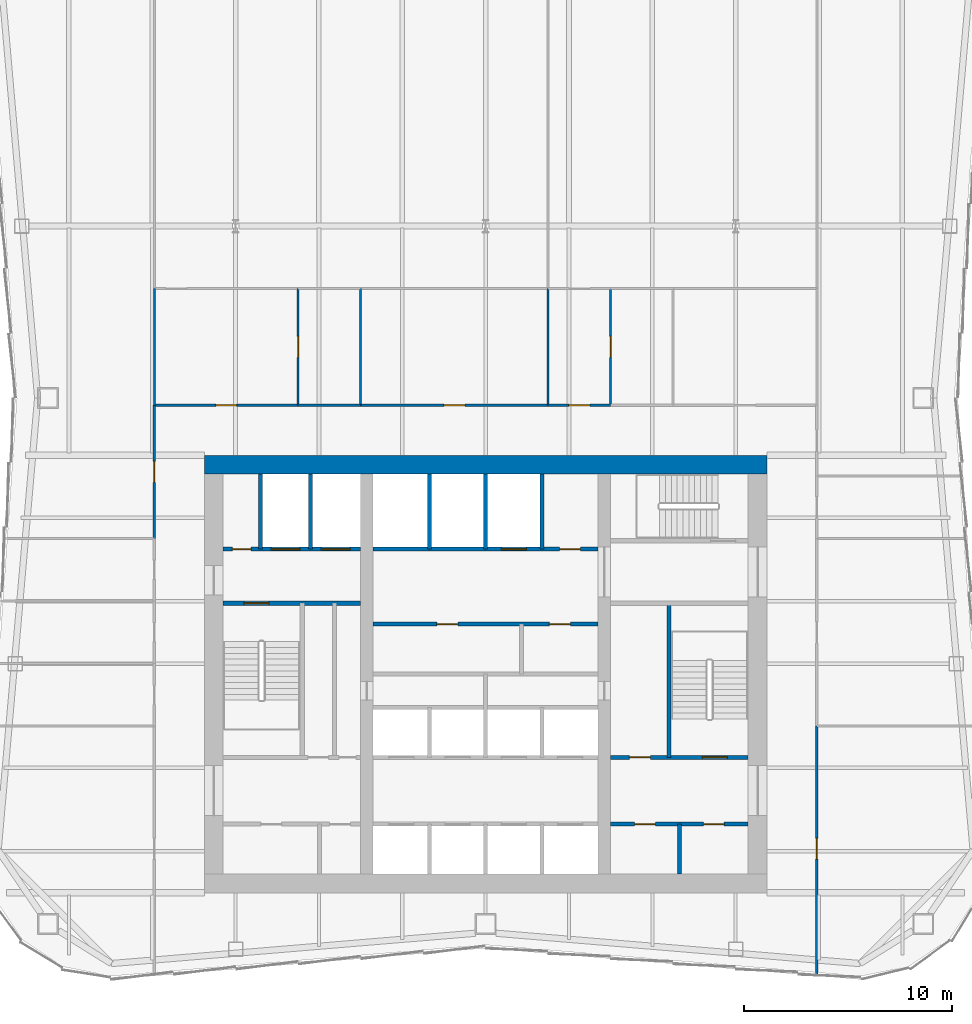
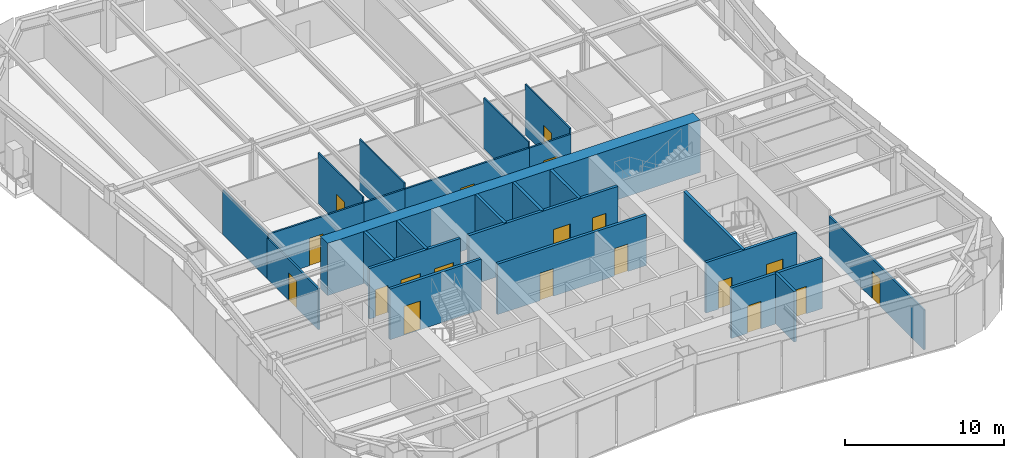
# One storey, part 6 of 10: 25 walls, 19 doors, 19 openings.
"""IFC4 building model written with IfcOpenShell, lengths in metres."""

from ifc_helpers import new_model, si_unit, direction, frame, frame_2d, origin, place, context, subcontext, project, spatial, rectangle, extrude, material, layer, layer_set, type_object, element, fill, save


model = new_model("IFC4")

# Units and contexts
model_context = context("Model", 3, precision=1e-05, world=origin(), true_north=direction((0.0, 1.0)))
body_context = subcontext(model_context, "Body", "Model", "MODEL_VIEW")
ifc_project = project(units=[si_unit("LENGTHUNIT", "METRE"), si_unit("AREAUNIT", "SQUARE_METRE"), si_unit("VOLUMEUNIT", "CUBIC_METRE"), si_unit("PLANEANGLEUNIT", "RADIAN"), si_unit("MASSUNIT", "GRAM", prefix="KILO")], contexts=[model_context])

# Site, building, storey
site_placement = place(None, origin())
site = spatial("IfcSite", under=ifc_project, at=site_placement, CompositionType="ELEMENT")
building_placement = place(site_placement, origin())
building = spatial("IfcBuilding", under=site, at=building_placement, Name="Verdant Reach Tower", CompositionType="ELEMENT")
storey_placement = place(building_placement, frame((0.0, 0.0, 190.0)))
storey = spatial("IfcBuildingStorey", under=building, at=storey_placement, Name="L43", CompositionType="ELEMENT", Elevation=190.0)

# Wall, openings, doors
ifc_material_1 = material(Name="Gypsum board on steel studs", Category="steel")
ifc_layer_1 = layer(ifc_material_1, 0.199951171875)
ifc_layer_set_1 = layer_set([ifc_layer_1], Name="CO-WALL-ROOM")
wall_type_1 = type_object("IfcWallType", Name="CO-WALL-ROOM", PredefinedType="PARTITIONING", material=ifc_layer_set_1)
wall_1_placement = place(storey_placement, frame((6.0, 20.800048828125, 0.0), z_axis=(0.0, 0.0, 1.0), x_axis=(1.0, 0.0, 0.0)))
wall_1 = element("IfcWall", 1, at=wall_1_placement, inside=storey, type_object=wall_type_1, Name="Core partition, L43", PredefinedType="PARTITIONING", context=body_context, shape_type="SweptSolid", body=[
    extrude(rectangle(XDim=6.60009765625, YDim=0.199951171875, at=frame_2d((3.300048828125, 0.0))), origin(), (0.0, 0.0, 1.0), 3.8701171875),
])
opening_1_placement = place(wall_1_placement, frame((1.14990234375, 0.0, 0.0)))
opening_1 = element("IfcOpeningElement", 2, at=opening_1_placement, cuts=wall_1, Name="Opening CD", PredefinedType="OPENING", context=body_context, shape_type="SweptSolid", body=[
    extrude(rectangle(XDim=1.0, YDim=2.10009765625, at=frame_2d((0.5, 1.050048828125))), frame((0.0, 0.10986328125, 0.0), z_axis=(0.0, -1.0, 0.0), x_axis=(1.0, 0.0, 0.0)), (0.0, 0.0, 1.0), 0.219970703125),
])
opening_2_placement = place(wall_1_placement, frame((4.449951171875, 0.0, 0.0)))
opening_2 = element("IfcOpeningElement", 3, at=opening_2_placement, cuts=wall_1, Name="Opening CD", PredefinedType="OPENING", context=body_context, shape_type="SweptSolid", body=[
    extrude(rectangle(XDim=1.0, YDim=2.10009765625, at=frame_2d((0.5, 1.050048828125))), frame((0.0, 0.10986328125, 0.0), z_axis=(0.0, -1.0, 0.0), x_axis=(1.0, 0.0, 0.0)), (0.0, 0.0, 1.0), 0.219970703125),
])
ifc_material_2 = material(Name="Timber", Category="wood")
door_type_1 = type_object("IfcDoorType", Name="CO-DOOR-ROOM", OperationType="NOTDEFINED", PredefinedType="DOOR", material=ifc_material_2)
door_1_placement = place(opening_1_placement, origin())
door_1 = element("IfcDoor", 4, at=door_1_placement, inside=storey, type_object=door_type_1, Name="Core room door, L43", OperationType="SINGLE_SWING_LEFT", OverallHeight=2.10009765625, OverallWidth=1.0, PredefinedType="DOOR", context=body_context, shape_type="SweptSolid", body=[
    extrude(rectangle(XDim=1.0, YDim=2.10009765625, at=frame_2d((0.5, 1.050048828125))), frame((0.0, 0.02490234375, 0.0), z_axis=(0.0, -1.0, 0.0), x_axis=(1.0, 0.0, 0.0)), (0.0, 0.0, 1.0), 0.050048828125),
])
fill(opening_1, door_1)
door_2_placement = place(opening_2_placement, origin())
door_2 = element("IfcDoor", 5, at=door_2_placement, inside=storey, type_object=door_type_1, Name="Core room door, L43", OperationType="SINGLE_SWING_LEFT", OverallHeight=2.10009765625, OverallWidth=1.0, PredefinedType="DOOR", context=body_context, shape_type="SweptSolid", body=[
    extrude(rectangle(XDim=1.0, YDim=2.10009765625, at=frame_2d((0.5, 1.050048828125))), frame((0.0, 0.02490234375, 0.0), z_axis=(0.0, -1.0, 0.0), x_axis=(1.0, 0.0, 0.0)), (0.0, 0.0, 1.0), 0.050048828125),
])
fill(opening_2, door_2)

wall_2_placement = place(storey_placement, frame((-5.39990234375, 30.39990234375, 0.0), z_axis=(0.0, 0.0, 1.0), x_axis=(1.0, 0.0, 0.0)))
wall_2 = element("IfcWall", 6, at=wall_2_placement, inside=storey, type_object=wall_type_1, Name="Core partition, L43", PredefinedType="PARTITIONING", context=body_context, shape_type="SweptSolid", body=[
    extrude(rectangle(XDim=10.7998046875, YDim=0.199951171875, at=frame_2d((5.39990234375, 0.0))), origin(), (0.0, 0.0, 1.0), 3.8701171875),
])
opening_3_placement = place(wall_2_placement, frame((3.06396484375, 0.0, 0.0)))
opening_3 = element("IfcOpeningElement", 7, at=opening_3_placement, cuts=wall_2, Name="Opening CD", PredefinedType="OPENING", context=body_context, shape_type="SweptSolid", body=[
    extrude(rectangle(XDim=1.0, YDim=2.10009765625, at=frame_2d((0.5, 1.050048828125))), frame((0.0, 0.10986328125, 0.0), z_axis=(0.0, -1.0, 0.0), x_axis=(1.0, 0.0, 0.0)), (0.0, 0.0, 1.0), 0.219970703125),
])
opening_4_placement = place(wall_2_placement, frame((8.464111328125, 0.0, 0.0)))
opening_4 = element("IfcOpeningElement", 8, at=opening_4_placement, cuts=wall_2, Name="Opening CD", PredefinedType="OPENING", context=body_context, shape_type="SweptSolid", body=[
    extrude(rectangle(XDim=1.0, YDim=2.10009765625, at=frame_2d((0.5, 1.050048828125))), frame((0.0, 0.10986328125, 0.0), z_axis=(0.0, -1.0, 0.0), x_axis=(1.0, 0.0, 0.0)), (0.0, 0.0, 1.0), 0.219970703125),
])
door_3_placement = place(opening_3_placement, origin())
door_3 = element("IfcDoor", 9, at=door_3_placement, inside=storey, type_object=door_type_1, Name="Core room door, L43", OperationType="SINGLE_SWING_RIGHT", OverallHeight=2.10009765625, OverallWidth=1.0, PredefinedType="DOOR", context=body_context, shape_type="SweptSolid", body=[
    extrude(rectangle(XDim=1.0, YDim=2.10009765625, at=frame_2d((0.5, 1.050048828125))), frame((0.0, 0.02490234375, 0.0), z_axis=(0.0, -1.0, 0.0), x_axis=(1.0, 0.0, 0.0)), (0.0, 0.0, 1.0), 0.050048828125),
])
fill(opening_3, door_3)
door_4_placement = place(opening_4_placement, origin())
door_4 = element("IfcDoor", 10, at=door_4_placement, inside=storey, type_object=door_type_1, Name="Core room door, L43", OperationType="SINGLE_SWING_LEFT", OverallHeight=2.10009765625, OverallWidth=1.0, PredefinedType="DOOR", context=body_context, shape_type="SweptSolid", body=[
    extrude(rectangle(XDim=1.0, YDim=2.10009765625, at=frame_2d((0.5, 1.050048828125))), frame((0.0, 0.02490234375, 0.0), z_axis=(0.0, -1.0, 0.0), x_axis=(1.0, 0.0, 0.0)), (0.0, 0.0, 1.0), 0.050048828125),
])
fill(opening_4, door_4)

# Wall
wall_3_placement = place(storey_placement, frame((9.300048828125, 18.39990234375, 0.0), z_axis=(0.0, 0.0, 1.0), x_axis=(0.0, 1.0, 0.0)))
element("IfcWall", 11, at=wall_3_placement, inside=storey, type_object=wall_type_1, Name="Core partition, L43", PredefinedType="PARTITIONING", context=body_context, shape_type="SweptSolid", body=[
    extrude(rectangle(XDim=2.400146484375, YDim=0.199951171875, at=frame_2d((1.2001953125, 0.0))), origin(), (0.0, 0.0, 1.0), 3.8701171875),
])

# Wall, openings, doors
ifc_material_3 = material(Name="Concrete C40/50", Category="concrete")
ifc_layer_2 = layer(ifc_material_3, 0.199951171875)
ifc_layer_set_2 = layer_set([ifc_layer_2], Name="CO-WALL-SHAFT")
wall_type_2 = type_object("IfcWallType", Name="CO-WALL-SHAFT", PredefinedType="PARTITIONING", material=ifc_layer_set_2)
wall_4_placement = place(storey_placement, frame((-12.60009765625, 34.0, 0.0), z_axis=(0.0, 0.0, 1.0), x_axis=(1.0, 0.0, 0.0)))
wall_4 = element("IfcWall", 12, at=wall_4_placement, inside=storey, type_object=wall_type_2, Name="Lift shaft wall, L43", PredefinedType="PARTITIONING", context=body_context, shape_type="SweptSolid", body=[
    extrude(rectangle(XDim=6.60009765625, YDim=0.199951171875, at=frame_2d((3.300048828125, 0.0))), origin(), (0.0, 0.0, 1.0), 3.8701171875),
])
opening_5_placement = place(wall_4_placement, frame((4.699951171875, 0.0, 0.0)))
opening_5 = element("IfcOpeningElement", 13, at=opening_5_placement, cuts=wall_4, Name="Opening LD-F1", PredefinedType="OPENING", context=body_context, shape_type="SweptSolid", body=[
    extrude(rectangle(XDim=1.39990234375, YDim=2.199951171875, at=frame_2d((0.699951171875, 1.10009765625))), frame((0.0, 0.10986328125, 0.0), z_axis=(0.0, -1.0, 0.0), x_axis=(1.0, 0.0, 0.0)), (0.0, 0.0, 1.0), 0.219970703125),
])
opening_6_placement = place(wall_4_placement, frame((2.300048828125, 0.0, 0.0)))
opening_6 = element("IfcOpeningElement", 14, at=opening_6_placement, cuts=wall_4, Name="Opening LD-F2", PredefinedType="OPENING", context=body_context, shape_type="SweptSolid", body=[
    extrude(rectangle(XDim=1.39990234375, YDim=2.199951171875, at=frame_2d((0.699951171875, 1.10009765625))), frame((0.0, 0.10986328125, 0.0), z_axis=(0.0, -1.0, 0.0), x_axis=(1.0, 0.0, 0.0)), (0.0, 0.0, 1.0), 0.219970703125),
])
opening_7_placement = place(wall_4_placement, frame((0.449951171875, 0.0, 0.0)))
opening_7 = element("IfcOpeningElement", 15, at=opening_7_placement, cuts=wall_4, Name="Opening RD", PredefinedType="OPENING", context=body_context, shape_type="SweptSolid", body=[
    extrude(rectangle(XDim=0.89990234375, YDim=2.10009765625, at=frame_2d((0.449951171875, 1.050048828125))), frame((0.0, 0.10986328125, 0.0), z_axis=(0.0, -1.0, 0.0), x_axis=(1.0, 0.0, 0.0)), (0.0, 0.0, 1.0), 0.219970703125),
])
ifc_material_4 = material(Name="Stainless steel", Category="steel")
door_type_2 = type_object("IfcDoorType", Name="CO-DOOR-LANDING-FF", OperationType="SLIDING_TO_LEFT", PredefinedType="DOOR", material=ifc_material_4)
door_5_placement = place(opening_5_placement, origin())
door_5 = element("IfcDoor", 16, at=door_5_placement, inside=storey, type_object=door_type_2, Name="Landing door F1, L43", OperationType="SLIDING_TO_LEFT", OverallHeight=2.199951171875, OverallWidth=1.39990234375, PredefinedType="DOOR", context=body_context, shape_type="SweptSolid", body=[
    extrude(rectangle(XDim=1.39990234375, YDim=2.199951171875, at=frame_2d((0.699951171875, 1.10009765625))), frame((0.0, 0.02490234375, 0.0), z_axis=(0.0, -1.0, 0.0), x_axis=(1.0, 0.0, 0.0)), (0.0, 0.0, 1.0), 0.050048828125),
])
fill(opening_5, door_5)
door_6_placement = place(opening_6_placement, origin())
door_6 = element("IfcDoor", 17, at=door_6_placement, inside=storey, type_object=door_type_2, Name="Landing door F2, L43", OperationType="SLIDING_TO_LEFT", OverallHeight=2.199951171875, OverallWidth=1.39990234375, PredefinedType="DOOR", context=body_context, shape_type="SweptSolid", body=[
    extrude(rectangle(XDim=1.39990234375, YDim=2.199951171875, at=frame_2d((0.699951171875, 1.10009765625))), frame((0.0, 0.02490234375, 0.0), z_axis=(0.0, -1.0, 0.0), x_axis=(1.0, 0.0, 0.0)), (0.0, 0.0, 1.0), 0.050048828125),
])
fill(opening_6, door_6)
ifc_material_5 = material(Name="Steel", Category="steel")
door_type_3 = type_object("IfcDoorType", Name="CO-DOOR-RISER", OperationType="NOTDEFINED", PredefinedType="DOOR", material=ifc_material_5)
door_7_placement = place(opening_7_placement, origin())
door_7 = element("IfcDoor", 18, at=door_7_placement, inside=storey, type_object=door_type_3, Name="Core room door, L43", OperationType="SINGLE_SWING_RIGHT", OverallHeight=2.10009765625, OverallWidth=0.89990234375, PredefinedType="DOOR", context=body_context, shape_type="SweptSolid", body=[
    extrude(rectangle(XDim=0.89990234375, YDim=2.10009765625, at=frame_2d((0.449951171875, 1.050048828125))), frame((0.0, 0.02490234375, 0.0), z_axis=(0.0, -1.0, 0.0), x_axis=(1.0, 0.0, 0.0)), (0.0, 0.0, 1.0), 0.050048828125),
])
fill(opening_7, door_7)

wall_5_placement = place(storey_placement, frame((-5.39990234375, 34.0, 0.0), z_axis=(0.0, 0.0, 1.0), x_axis=(1.0, 0.0, 0.0)))
wall_5 = element("IfcWall", 19, at=wall_5_placement, inside=storey, type_object=wall_type_2, Name="Lift shaft wall, L43", PredefinedType="PARTITIONING", context=body_context, shape_type="SweptSolid", body=[
    extrude(rectangle(XDim=10.7998046875, YDim=0.199951171875, at=frame_2d((5.39990234375, 0.0))), origin(), (0.0, 0.0, 1.0), 3.8701171875),
])
opening_8_placement = place(wall_5_placement, frame((6.14990234375, 0.0, 0.0)))
opening_8 = element("IfcOpeningElement", 20, at=opening_8_placement, cuts=wall_5, Name="Opening LD-SL1", PredefinedType="OPENING", context=body_context, shape_type="SweptSolid", body=[
    extrude(rectangle(XDim=1.199951171875, YDim=2.199951171875, at=frame_2d((0.60009765625, 1.10009765625))), frame((0.0, 0.10986328125, 0.0), z_axis=(0.0, -1.0, 0.0), x_axis=(1.0, 0.0, 0.0)), (0.0, 0.0, 1.0), 0.219970703125),
])
opening_9_placement = place(wall_5_placement, frame((8.949951171875, 0.0, 0.0)))
opening_9 = element("IfcOpeningElement", 21, at=opening_9_placement, cuts=wall_5, Name="Opening CD", PredefinedType="OPENING", context=body_context, shape_type="SweptSolid", body=[
    extrude(rectangle(XDim=1.0, YDim=2.10009765625, at=frame_2d((0.5, 1.050048828125))), frame((0.0, 0.10986328125, 0.0), z_axis=(0.0, -1.0, 0.0), x_axis=(1.0, 0.0, 0.0)), (0.0, 0.0, 1.0), 0.219970703125),
])
door_type_4 = type_object("IfcDoorType", Name="CO-DOOR-LANDING", OperationType="SLIDING_TO_LEFT", PredefinedType="DOOR", material=ifc_material_4)
door_8_placement = place(opening_8_placement, origin())
door_8 = element("IfcDoor", 22, at=door_8_placement, inside=storey, type_object=door_type_4, Name="Landing door SL1, L43", OperationType="SLIDING_TO_LEFT", OverallHeight=2.199951171875, OverallWidth=1.199951171875, PredefinedType="DOOR", context=body_context, shape_type="SweptSolid", body=[
    extrude(rectangle(XDim=1.199951171875, YDim=2.199951171875, at=frame_2d((0.60009765625, 1.10009765625))), frame((0.0, 0.02490234375, 0.0), z_axis=(0.0, -1.0, 0.0), x_axis=(1.0, 0.0, 0.0)), (0.0, 0.0, 1.0), 0.050048828125),
])
fill(opening_8, door_8)
door_9_placement = place(opening_9_placement, origin())
door_9 = element("IfcDoor", 23, at=door_9_placement, inside=storey, type_object=door_type_1, Name="Core room door, L43", OperationType="SINGLE_SWING_LEFT", OverallHeight=2.10009765625, OverallWidth=1.0, PredefinedType="DOOR", context=body_context, shape_type="SweptSolid", body=[
    extrude(rectangle(XDim=1.0, YDim=2.10009765625, at=frame_2d((0.5, 1.050048828125))), frame((0.0, 0.02490234375, 0.0), z_axis=(0.0, -1.0, 0.0), x_axis=(1.0, 0.0, 0.0)), (0.0, 0.0, 1.0), 0.050048828125),
])
fill(opening_9, door_9)

# Walls
for number, where, z_axis, x_axis, name in (
    (24, (-10.800048828125, 34.0, 0.0), (0.0, 0.0, 1.0), (0.0, 1.0, 0.0), "Lift shaft wall, L43"),
    (25, (-8.39990234375, 34.0, 0.0), (0.0, 0.0, 1.0), (0.0, 1.0, 0.0), "Lift shaft wall, L43"),
    (26, (-2.699951171875, 34.0, 0.0), (0.0, 0.0, 1.0), (0.0, 1.0, 0.0), "Lift shaft wall, L43"),
    (27, (0.0, 34.0, 0.0), (0.0, 0.0, 1.0), (0.0, 1.0, 0.0), "Lift shaft wall, L43"),
    (28, (2.699951171875, 34.0, 0.0), (0.0, 0.0, 1.0), (0.0, 1.0, 0.0), "Lift shaft wall, L43"),
):
    element("IfcWall", number, at=place(storey_placement, frame(where, z_axis=z_axis, x_axis=x_axis)), inside=storey, type_object=wall_type_2, Name=name, PredefinedType="PARTITIONING", context=body_context, shape_type="SweptSolid", body=[
        extrude(rectangle(XDim=3.60009765625, YDim=0.199951171875, at=frame_2d((1.800048828125, 0.0))), origin(), (0.0, 0.0, 1.0), 3.8701171875),
    ])

# Wall, openings, doors
ifc_layer_3 = layer(ifc_material_3, 0.199951171875)
ifc_layer_set_3 = layer_set([ifc_layer_3], Name="CO-WALL-STAIR")
wall_type_3 = type_object("IfcWallType", Name="CO-WALL-STAIR", PredefinedType="PARTITIONING", material=ifc_layer_set_3)
wall_6_placement = place(storey_placement, frame((6.0, 24.0, 0.0), z_axis=(0.0, 0.0, 1.0), x_axis=(1.0, 0.0, 0.0)))
wall_6 = element("IfcWall", 29, at=wall_6_placement, inside=storey, type_object=wall_type_3, Name="Stair enclosure wall, L43", PredefinedType="PARTITIONING", context=body_context, shape_type="SweptSolid", body=[
    extrude(rectangle(XDim=6.60009765625, YDim=0.199951171875, at=frame_2d((3.300048828125, 0.0))), origin(), (0.0, 0.0, 1.0), 3.8701171875),
])
opening_10_placement = place(wall_6_placement, frame((0.89990234375, 0.0, 0.0)))
opening_10 = element("IfcOpeningElement", 30, at=opening_10_placement, cuts=wall_6, Name="Opening CD", PredefinedType="OPENING", context=body_context, shape_type="SweptSolid", body=[
    extrude(rectangle(XDim=1.0, YDim=2.10009765625, at=frame_2d((0.5, 1.050048828125))), frame((0.0, 0.10986328125, 0.0), z_axis=(0.0, -1.0, 0.0), x_axis=(1.0, 0.0, 0.0)), (0.0, 0.0, 1.0), 0.219970703125),
])
opening_11_placement = place(wall_6_placement, frame((4.39990234375, 0.0, 0.0)))
opening_11 = element("IfcOpeningElement", 31, at=opening_11_placement, cuts=wall_6, Name="Opening SD", PredefinedType="OPENING", context=body_context, shape_type="SweptSolid", body=[
    extrude(rectangle(XDim=1.199951171875, YDim=2.199951171875, at=frame_2d((0.60009765625, 1.10009765625))), frame((0.0, 0.10986328125, 0.0), z_axis=(0.0, -1.0, 0.0), x_axis=(1.0, 0.0, 0.0)), (0.0, 0.0, 1.0), 0.219970703125),
])
door_10_placement = place(opening_10_placement, origin())
door_10 = element("IfcDoor", 32, at=door_10_placement, inside=storey, type_object=door_type_1, Name="Core room door, L43", OperationType="SINGLE_SWING_RIGHT", OverallHeight=2.10009765625, OverallWidth=1.0, PredefinedType="DOOR", context=body_context, shape_type="SweptSolid", body=[
    extrude(rectangle(XDim=1.0, YDim=2.10009765625, at=frame_2d((0.5, 1.050048828125))), frame((0.0, 0.02490234375, 0.0), z_axis=(0.0, -1.0, 0.0), x_axis=(1.0, 0.0, 0.0)), (0.0, 0.0, 1.0), 0.050048828125),
])
fill(opening_10, door_10)
door_type_5 = type_object("IfcDoorType", Name="CO-DOOR-STAIR", OperationType="NOTDEFINED", PredefinedType="DOOR", material=ifc_material_5)
door_11_placement = place(opening_11_placement, origin())
door_11 = element("IfcDoor", 33, at=door_11_placement, inside=storey, type_object=door_type_5, Name="Stair door, L43", OperationType="SINGLE_SWING_LEFT", OverallHeight=2.199951171875, OverallWidth=1.199951171875, PredefinedType="DOOR", context=body_context, shape_type="SweptSolid", body=[
    extrude(rectangle(XDim=1.199951171875, YDim=2.199951171875, at=frame_2d((0.60009765625, 1.10009765625))), frame((0.0, 0.02490234375, 0.0), z_axis=(0.0, -1.0, 0.0), x_axis=(1.0, 0.0, 0.0)), (0.0, 0.0, 1.0), 0.050048828125),
])
fill(opening_11, door_11)

# Wall, opening, door
wall_7_placement = place(storey_placement, frame((-12.60009765625, 31.39990234375, 0.0), z_axis=(0.0, 0.0, 1.0), x_axis=(1.0, 0.0, 0.0)))
wall_7 = element("IfcWall", 34, at=wall_7_placement, inside=storey, type_object=wall_type_3, Name="Stair enclosure wall, L43", PredefinedType="PARTITIONING", context=body_context, shape_type="SweptSolid", body=[
    extrude(rectangle(XDim=6.60009765625, YDim=0.199951171875, at=frame_2d((3.300048828125, 0.0))), origin(), (0.0, 0.0, 1.0), 3.8701171875),
])
opening_12_placement = place(wall_7_placement, frame((1.0, 0.0, 0.0)))
opening_12 = element("IfcOpeningElement", 35, at=opening_12_placement, cuts=wall_7, Name="Opening SD", PredefinedType="OPENING", context=body_context, shape_type="SweptSolid", body=[
    extrude(rectangle(XDim=1.199951171875, YDim=2.199951171875, at=frame_2d((0.60009765625, 1.10009765625))), frame((0.0, 0.10986328125, 0.0), z_axis=(0.0, -1.0, 0.0), x_axis=(1.0, 0.0, 0.0)), (0.0, 0.0, 1.0), 0.219970703125),
])
door_12_placement = place(opening_12_placement, origin())
door_12 = element("IfcDoor", 36, at=door_12_placement, inside=storey, type_object=door_type_5, Name="Stair door, L43", OperationType="SINGLE_SWING_RIGHT", OverallHeight=2.199951171875, OverallWidth=1.199951171875, PredefinedType="DOOR", context=body_context, shape_type="SweptSolid", body=[
    extrude(rectangle(XDim=1.199951171875, YDim=2.199951171875, at=frame_2d((0.60009765625, 1.10009765625))), frame((0.0, 0.02490234375, 0.0), z_axis=(0.0, -1.0, 0.0), x_axis=(1.0, 0.0, 0.0)), (0.0, 0.0, 1.0), 0.050048828125),
])
fill(opening_12, door_12)

# Wall
wall_8_placement = place(storey_placement, frame((8.800048828125, 24.0, 0.0), z_axis=(0.0, 0.0, 1.0), x_axis=(0.0, 1.0, 0.0)))
element("IfcWall", 37, at=wall_8_placement, inside=storey, type_object=wall_type_3, Name="Stair enclosure wall, L43", PredefinedType="PARTITIONING", context=body_context, shape_type="SweptSolid", body=[
    extrude(rectangle(XDim=7.39990234375, YDim=0.199951171875, at=frame_2d((3.699951171875, 0.0))), origin(), (0.0, 0.0, 1.0), 3.8701171875),
])

# Wall, opening, door
ifc_layer_4 = layer(ifc_material_1, 0.10009765625)
ifc_layer_set_4 = layer_set([ifc_layer_4], Name="FL-W1 Partition 100")
wall_type_4 = type_object("IfcWallType", Name="FL-W1 Partition 100", PredefinedType="PARTITIONING", material=ifc_layer_set_4)
wall_9_placement = place(storey_placement, frame((-9.0, 46.5, 0.0), z_axis=(0.0, 0.0, 1.0), x_axis=(0.0, -1.0, 0.0)))
wall_9 = element("IfcWall", 38, at=wall_9_placement, inside=storey, type_object=wall_type_4, Name="Partition 43.16", PredefinedType="PARTITIONING", context=body_context, shape_type="SweptSolid", body=[
    extrude(rectangle(XDim=5.60009765625, YDim=0.10009765625, at=frame_2d((2.800048828125, 0.0))), origin(), (0.0, 0.0, 1.0), 3.8701171875),
])
opening_13_placement = place(wall_9_placement, frame((2.300048828125, 0.0, 0.0)))
opening_13 = element("IfcOpeningElement", 39, at=opening_13_placement, cuts=wall_9, Name="Opening D3", PredefinedType="OPENING", context=body_context, shape_type="SweptSolid", body=[
    extrude(rectangle(XDim=1.0, YDim=2.10009765625, at=frame_2d((0.5, 1.050048828125))), frame((0.0, 0.06005859375, 0.0), z_axis=(0.0, -1.0, 0.0), x_axis=(1.0, 0.0, 0.0)), (0.0, 0.0, 1.0), 0.1201171875),
])
ifc_material_6 = material(Name="Painted timber door leaf", Category="wood")
door_type_6 = type_object("IfcDoorType", Name="FL-D3 Door 1000x2100", OperationType="NOTDEFINED", PredefinedType="DOOR", material=ifc_material_6)
door_13_placement = place(opening_13_placement, origin())
door_13 = element("IfcDoor", 40, at=door_13_placement, inside=storey, type_object=door_type_6, Name="Door 43-014", OperationType="SINGLE_SWING_RIGHT", OverallHeight=2.10009765625, OverallWidth=1.0, PredefinedType="DOOR", context=body_context, shape_type="SweptSolid", body=[
    extrude(rectangle(XDim=1.0, YDim=2.10009765625, at=frame_2d((0.5, 1.050048828125))), frame((0.0, 0.02490234375, 0.0), z_axis=(0.0, -1.0, 0.0), x_axis=(1.0, 0.0, 0.0)), (0.0, 0.0, 1.0), 0.050048828125),
])
fill(opening_13, door_13)

# Walls
wall_10_placement = place(storey_placement, frame((-15.89990234375, 46.50390625, 0.0), z_axis=(0.0, 0.0, 1.0), x_axis=(0.0, -1.0, 0.0)))
element("IfcWall", 41, at=wall_10_placement, inside=storey, type_object=wall_type_4, Name="Partition 43.18", PredefinedType="PARTITIONING", context=body_context, shape_type="SweptSolid", body=[
    extrude(rectangle(XDim=5.60791015625, YDim=0.10009765625, at=frame_2d((2.803955078125, 0.0))), origin(), (0.0, 0.0, 1.0), 3.43994140625),
])
for number, where, z_axis, x_axis, name in (
    (42, (-6.0, 40.89990234375, 0.0), (0.0, 0.0, 1.0), (0.0, 1.0, 0.0), "Partition 43.19"),
    (43, (3.0, 40.89990234375, 0.0), (0.0, 0.0, 1.0), (0.0, 1.0, 0.0), "Partition 43.22"),
):
    element("IfcWall", number, at=place(storey_placement, frame(where, z_axis=z_axis, x_axis=x_axis)), inside=storey, type_object=wall_type_4, Name=name, PredefinedType="PARTITIONING", context=body_context, shape_type="SweptSolid", body=[
        extrude(rectangle(XDim=5.60009765625, YDim=0.10009765625, at=frame_2d((2.800048828125, 0.0))), origin(), (0.0, 0.0, 1.0), 3.8701171875),
    ])

# Wall, opening, door
wall_11_placement = place(storey_placement, frame((6.0, 46.5, 0.0), z_axis=(0.0, 0.0, 1.0), x_axis=(0.0, -1.0, 0.0)))
wall_11 = element("IfcWall", 44, at=wall_11_placement, inside=storey, type_object=wall_type_4, Name="Partition 43.30", PredefinedType="PARTITIONING", context=body_context, shape_type="SweptSolid", body=[
    extrude(rectangle(XDim=5.60009765625, YDim=0.10009765625, at=frame_2d((2.800048828125, 0.0))), origin(), (0.0, 0.0, 1.0), 3.8701171875),
])
opening_14_placement = place(wall_11_placement, frame((2.300048828125, 0.0, 0.0)))
opening_14 = element("IfcOpeningElement", 45, at=opening_14_placement, cuts=wall_11, Name="Opening D3", PredefinedType="OPENING", context=body_context, shape_type="SweptSolid", body=[
    extrude(rectangle(XDim=1.0, YDim=2.10009765625, at=frame_2d((0.5, 1.050048828125))), frame((0.0, 0.06005859375, 0.0), z_axis=(0.0, -1.0, 0.0), x_axis=(1.0, 0.0, 0.0)), (0.0, 0.0, 1.0), 0.1201171875),
])
door_14_placement = place(opening_14_placement, origin())
door_14 = element("IfcDoor", 46, at=door_14_placement, inside=storey, type_object=door_type_6, Name="Door 43-018", OperationType="SINGLE_SWING_RIGHT", OverallHeight=2.10009765625, OverallWidth=1.0, PredefinedType="DOOR", context=body_context, shape_type="SweptSolid", body=[
    extrude(rectangle(XDim=1.0, YDim=2.10009765625, at=frame_2d((0.5, 1.050048828125))), frame((0.0, 0.02490234375, 0.0), z_axis=(0.0, -1.0, 0.0), x_axis=(1.0, 0.0, 0.0)), (0.0, 0.0, 1.0), 0.050048828125),
])
fill(opening_14, door_14)

ifc_material_7 = material(Name="Gypsum board on steel studs, fire rated", Category="steel")
ifc_layer_5 = layer(ifc_material_7, 0.125)
ifc_layer_set_5 = layer_set([ifc_layer_5], Name="FL-W2 Corridor wall 125")
wall_type_5 = type_object("IfcWallType", Name="FL-W2 Corridor wall 125", PredefinedType="PARTITIONING", material=ifc_layer_set_5)
wall_12_placement = place(storey_placement, frame((-15.89990234375, 40.89990234375, 0.0), z_axis=(0.0, 0.0, 1.0), x_axis=(1.0, 0.0, 0.0)))
wall_12 = element("IfcWall", 47, at=wall_12_placement, inside=storey, type_object=wall_type_5, Name="Partition 43.01", PredefinedType="PARTITIONING", context=body_context, shape_type="SweptSolid", body=[
    extrude(rectangle(XDim=6.89990234375, YDim=0.125, at=frame_2d((3.449951171875, 0.0))), origin(), (0.0, 0.0, 1.0), 3.43994140625),
])
opening_15_placement = place(wall_12_placement, frame((2.949951171875, 0.0, 0.0)))
opening_15 = element("IfcOpeningElement", 48, at=opening_15_placement, cuts=wall_12, Name="Opening D2", PredefinedType="OPENING", context=body_context, shape_type="SweptSolid", body=[
    extrude(rectangle(XDim=1.0, YDim=2.10009765625, at=frame_2d((0.5, 1.050048828125))), frame((0.0, 0.072509765625, 0.0), z_axis=(0.0, -1.0, 0.0), x_axis=(1.0, 0.0, 0.0)), (0.0, 0.0, 1.0), 0.14501953125),
])
ifc_material_8 = material(Name="Timber door leaf, fire rated", Category="wood")
door_type_7 = type_object("IfcDoorType", Name="FL-D2 Entrance door 1000x2100 FD30", OperationType="NOTDEFINED", PredefinedType="DOOR", material=ifc_material_8)
door_15_placement = place(opening_15_placement, origin())
door_15 = element("IfcDoor", 49, at=door_15_placement, inside=storey, type_object=door_type_7, Name="Door 43-001", OperationType="SINGLE_SWING_LEFT", OverallHeight=2.10009765625, OverallWidth=1.0, PredefinedType="DOOR", context=body_context, shape_type="SweptSolid", body=[
    extrude(rectangle(XDim=1.0, YDim=2.10009765625, at=frame_2d((0.5, 1.050048828125))), frame((0.0, 0.02490234375, 0.0), z_axis=(0.0, -1.0, 0.0), x_axis=(1.0, 0.0, 0.0)), (0.0, 0.0, 1.0), 0.050048828125),
])
fill(opening_15, door_15)

# Wall
wall_13_placement = place(storey_placement, frame((-6.0, 40.89990234375, 0.0), z_axis=(0.0, 0.0, 1.0), x_axis=(-1.0, 0.0, 0.0)))
element("IfcWall", 50, at=wall_13_placement, inside=storey, type_object=wall_type_5, Name="Partition 43.02", PredefinedType="PARTITIONING", context=body_context, shape_type="SweptSolid", body=[
    extrude(rectangle(XDim=3.0, YDim=0.125, at=frame_2d((1.5, 0.0))), origin(), (0.0, 0.0, 1.0), 3.43994140625),
])

# Wall, opening, door
wall_14_placement = place(storey_placement, frame((-6.0, 40.89990234375, 0.0), z_axis=(0.0, 0.0, 1.0), x_axis=(1.0, 0.0, 0.0)))
wall_14 = element("IfcWall", 51, at=wall_14_placement, inside=storey, type_object=wall_type_5, Name="Partition 43.03", PredefinedType="PARTITIONING", context=body_context, shape_type="SweptSolid", body=[
    extrude(rectangle(XDim=9.0, YDim=0.125, at=frame_2d((4.5, 0.0))), origin(), (0.0, 0.0, 1.0), 3.43994140625),
])
opening_16_placement = place(wall_14_placement, frame((4.0, 0.0, 0.0)))
opening_16 = element("IfcOpeningElement", 52, at=opening_16_placement, cuts=wall_14, Name="Opening D2", PredefinedType="OPENING", context=body_context, shape_type="SweptSolid", body=[
    extrude(rectangle(XDim=1.0, YDim=2.10009765625, at=frame_2d((0.5, 1.050048828125))), frame((0.0, 0.072509765625, 0.0), z_axis=(0.0, -1.0, 0.0), x_axis=(1.0, 0.0, 0.0)), (0.0, 0.0, 1.0), 0.14501953125),
])
door_16_placement = place(opening_16_placement, origin())
door_16 = element("IfcDoor", 53, at=door_16_placement, inside=storey, type_object=door_type_7, Name="Door 43-002", OperationType="SINGLE_SWING_RIGHT", OverallHeight=2.10009765625, OverallWidth=1.0, PredefinedType="DOOR", context=body_context, shape_type="SweptSolid", body=[
    extrude(rectangle(XDim=1.0, YDim=2.10009765625, at=frame_2d((0.5, 1.050048828125))), frame((0.0, 0.02490234375, 0.0), z_axis=(0.0, -1.0, 0.0), x_axis=(1.0, 0.0, 0.0)), (0.0, 0.0, 1.0), 0.050048828125),
])
fill(opening_16, door_16)

wall_15_placement = place(storey_placement, frame((3.0, 40.89990234375, 0.0), z_axis=(0.0, 0.0, 1.0), x_axis=(1.0, 0.0, 0.0)))
wall_15 = element("IfcWall", 54, at=wall_15_placement, inside=storey, type_object=wall_type_5, Name="Partition 43.04", PredefinedType="PARTITIONING", context=body_context, shape_type="SweptSolid", body=[
    extrude(rectangle(XDim=3.0, YDim=0.125, at=frame_2d((1.5, 0.0))), origin(), (0.0, 0.0, 1.0), 3.43994140625),
])
opening_17_placement = place(wall_15_placement, frame((1.0, 0.0, 0.0)))
opening_17 = element("IfcOpeningElement", 55, at=opening_17_placement, cuts=wall_15, Name="Opening D2", PredefinedType="OPENING", context=body_context, shape_type="SweptSolid", body=[
    extrude(rectangle(XDim=1.0, YDim=2.10009765625, at=frame_2d((0.5, 1.050048828125))), frame((0.0, 0.072509765625, 0.0), z_axis=(0.0, -1.0, 0.0), x_axis=(1.0, 0.0, 0.0)), (0.0, 0.0, 1.0), 0.14501953125),
])
door_17_placement = place(opening_17_placement, origin())
door_17 = element("IfcDoor", 56, at=door_17_placement, inside=storey, type_object=door_type_7, Name="Door 43-003", OperationType="SINGLE_SWING_LEFT", OverallHeight=2.10009765625, OverallWidth=1.0, PredefinedType="DOOR", context=body_context, shape_type="SweptSolid", body=[
    extrude(rectangle(XDim=1.0, YDim=2.10009765625, at=frame_2d((0.5, 1.050048828125))), frame((0.0, 0.02490234375, 0.0), z_axis=(0.0, -1.0, 0.0), x_axis=(1.0, 0.0, 0.0)), (0.0, 0.0, 1.0), 0.050048828125),
])
fill(opening_17, door_17)

wall_16_placement = place(storey_placement, frame((-15.89990234375, 34.5, 0.0), z_axis=(0.0, 0.0, 1.0), x_axis=(0.0, 1.0, 0.0)))
wall_16 = element("IfcWall", 57, at=wall_16_placement, inside=storey, type_object=wall_type_5, Name="Partition 43.11", PredefinedType="PARTITIONING", context=body_context, shape_type="SweptSolid", body=[
    extrude(rectangle(XDim=6.404052734375, YDim=0.125, at=frame_2d((3.2021484375, 0.0))), origin(), (0.0, 0.0, 1.0), 3.139892578125),
])
opening_18_placement = place(wall_16_placement, frame((2.701904296875, 0.0, 0.0)))
opening_18 = element("IfcOpeningElement", 58, at=opening_18_placement, cuts=wall_16, Name="Opening D2", PredefinedType="OPENING", context=body_context, shape_type="SweptSolid", body=[
    extrude(rectangle(XDim=1.0, YDim=2.10009765625, at=frame_2d((0.5, 1.050048828125))), frame((0.0, 0.072509765625, 0.0), z_axis=(0.0, -1.0, 0.0), x_axis=(1.0, 0.0, 0.0)), (0.0, 0.0, 1.0), 0.14501953125),
])
door_18_placement = place(opening_18_placement, origin())
door_18 = element("IfcDoor", 59, at=door_18_placement, inside=storey, type_object=door_type_7, Name="Door 43-009", OperationType="SINGLE_SWING_LEFT", OverallHeight=2.10009765625, OverallWidth=1.0, PredefinedType="DOOR", context=body_context, shape_type="SweptSolid", body=[
    extrude(rectangle(XDim=1.0, YDim=2.10009765625, at=frame_2d((0.5, 1.050048828125))), frame((0.0, 0.02490234375, 0.0), z_axis=(0.0, -1.0, 0.0), x_axis=(1.0, 0.0, 0.0)), (0.0, 0.0, 1.0), 0.050048828125),
])
fill(opening_18, door_18)

wall_17_placement = place(storey_placement, frame((15.89990234375, 25.5, 0.0), z_axis=(0.0, 0.0, 1.0), x_axis=(0.0, -1.0, 0.0)))
wall_17 = element("IfcWall", 60, at=wall_17_placement, inside=storey, type_object=wall_type_5, Name="Partition 43.12", PredefinedType="PARTITIONING", context=body_context, shape_type="SweptSolid", body=[
    extrude(rectangle(XDim=11.905029296875, YDim=0.125, at=frame_2d((5.95263671875, 0.0))), origin(), (0.0, 0.0, 1.0), 3.0400390625),
])
opening_19_placement = place(wall_17_placement, frame((5.387451171875, 0.0, 0.0)))
opening_19 = element("IfcOpeningElement", 61, at=opening_19_placement, cuts=wall_17, Name="Opening D2", PredefinedType="OPENING", context=body_context, shape_type="SweptSolid", body=[
    extrude(rectangle(XDim=1.0, YDim=2.10009765625, at=frame_2d((0.5, 1.050048828125))), frame((0.0, 0.072509765625, 0.0), z_axis=(0.0, -1.0, 0.0), x_axis=(1.0, 0.0, 0.0)), (0.0, 0.0, 1.0), 0.14501953125),
])
door_19_placement = place(opening_19_placement, origin())
door_19 = element("IfcDoor", 62, at=door_19_placement, inside=storey, type_object=door_type_7, Name="Door 43-010", OperationType="SINGLE_SWING_LEFT", OverallHeight=2.10009765625, OverallWidth=1.0, PredefinedType="DOOR", context=body_context, shape_type="SweptSolid", body=[
    extrude(rectangle(XDim=1.0, YDim=2.10009765625, at=frame_2d((0.5, 1.050048828125))), frame((0.0, 0.02490234375, 0.0), z_axis=(0.0, -1.0, 0.0), x_axis=(1.0, 0.0, 0.0)), (0.0, 0.0, 1.0), 0.050048828125),
])
fill(opening_19, door_19)

# Wall
ifc_material_9 = material(Name="Concrete C70/85", Category="concrete")
ifc_layer_6 = layer(ifc_material_9, 0.89990234375)
ifc_layer_set_6 = layer_set([ifc_layer_6], Name="ST-CORE-WALL-900")
wall_type_6 = type_object("IfcWallType", Name="ST-CORE-WALL-900", PredefinedType="SHEAR", material=ifc_layer_set_6)
wall_18_placement = place(storey_placement, frame((-13.5, 38.050048828125, -0.1298828125), z_axis=(0.0, 0.0, 1.0), x_axis=(1.0, 0.0, 0.0)))
element("IfcWall", 63, at=wall_18_placement, inside=storey, type_object=wall_type_6, Name="Core wall N, L43", PredefinedType="SHEAR", context=body_context, shape_type="SweptSolid", body=[
    extrude(rectangle(XDim=27.0, YDim=0.89990234375, at=frame_2d((13.5, 0.0))), origin(), (0.0, 0.0, 1.0), 4.0),
])

save(model, "model.ifc")
